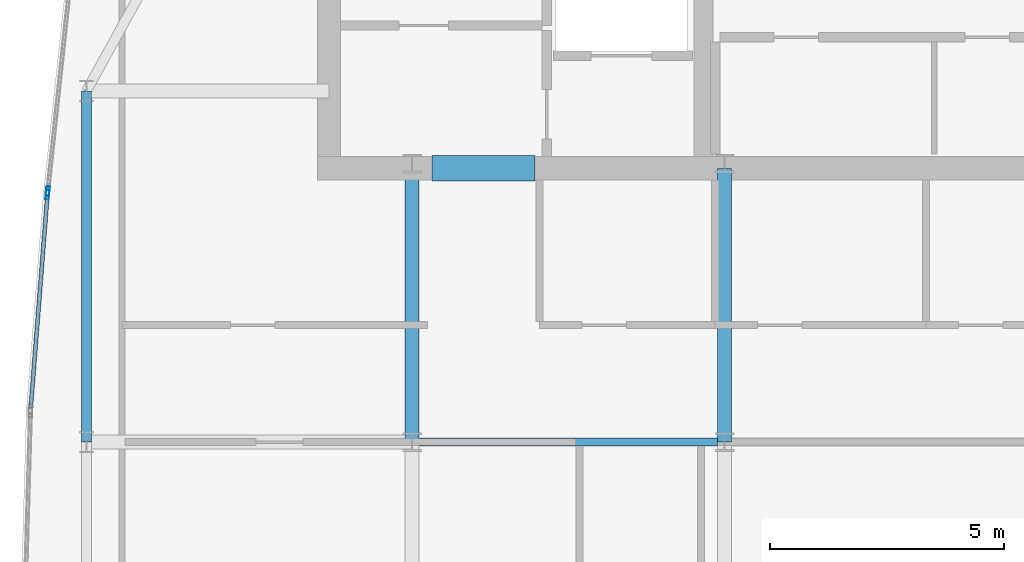
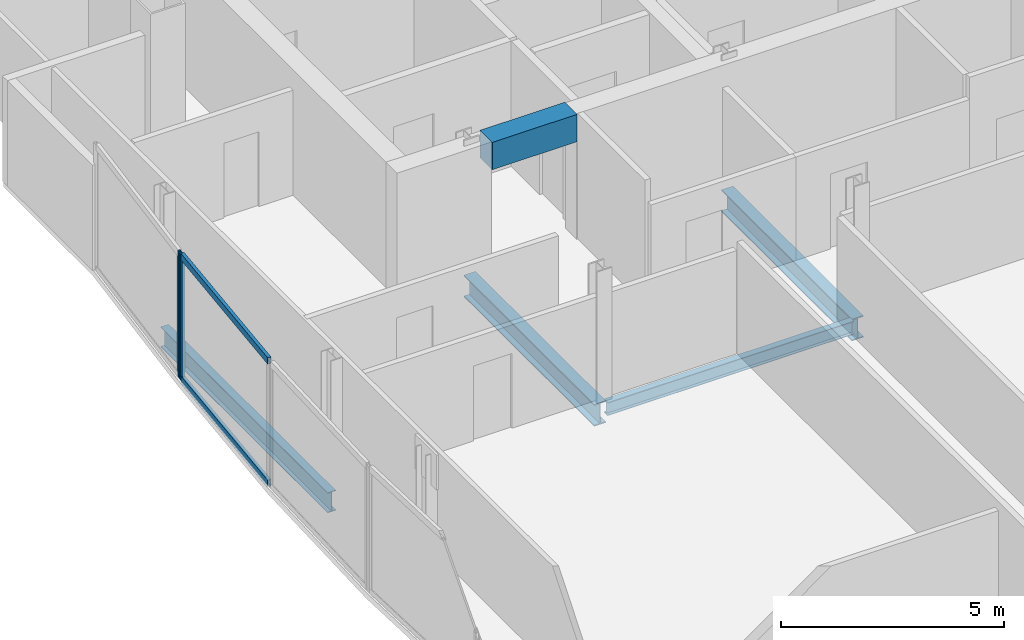
# One storey, part 11 of 27: 5 beams, 4 members, 2 elements without a shape of their own.
"""IFC4 building model written with IfcOpenShell, lengths in metres."""

import ifcopenshell
import ifcopenshell.guid

model = None  # the IFC model being written
_history = None  # IfcOwnerHistory: only IFC2X3 demands one
_inside = {}  # id of a spatial element -> (the spatial element, [elements in it])
_under = {}  # id of a project, library or spatial element -> (it, [spatial elements below it])
_declared = {}  # id of a project -> (the project, [libraries it declares])
_typed = {}  # id of a type object -> (the type object, [elements of that type])
_made_of = {}  # id of a material, layer set ... -> (it, [elements and type objects made of it])


def new_model(schema):
    """Start an empty IFC model of exactly this schema.

    Asked for "IFC4X3", IfcOpenShell would pick the latest addendum, in which some entities
    have other attributes; the version numbers below select the first issue.
    IFC2X3 requires an IfcOwnerHistory on every rooted entity: one is made here for all.
    """
    global model, _history
    if schema == "IFC4X3":
        model = ifcopenshell.file(schema_version=(4, 3, 0, 0))
    else:
        model = ifcopenshell.file(schema=schema)
    _inside.clear()
    _under.clear()
    _declared.clear()
    _typed.clear()
    _made_of.clear()
    _history = None
    if model.schema == "IFC2X3":
        org = make("IfcOrganization", Name="unknown")
        user = make(
            "IfcPersonAndOrganization",
            ThePerson=make("IfcPerson", FamilyName="unknown"),
            TheOrganization=org,
        )
        app = make(
            "IfcApplication",
            ApplicationDeveloper=org,
            Version="unknown",
            ApplicationFullName="unknown",
            ApplicationIdentifier="unknown",
        )
        _history = make(
            "IfcOwnerHistory",
            OwningUser=user,
            OwningApplication=app,
            ChangeAction="ADDED",
            CreationDate=0,
        )
    return model


def make(cls, **values):
    """One entity of the class cls with the attributes given. An attribute that is None is left unset."""
    return model.create_entity(
        cls, **{name: value for name, value in values.items() if value is not None}
    )


def rooted(cls, **values):
    """An entity with a GlobalId (a new one), such as an element, a storey or a relation."""
    return make(cls, GlobalId=ifcopenshell.guid.new(), OwnerHistory=_history, **values)


def si_unit(unit_type, name, prefix=None):
    """IfcSIUnit, for example si_unit("LENGTHUNIT", "METRE", prefix="MILLI")."""
    return make("IfcSIUnit", UnitType=unit_type, Prefix=prefix, Name=name)


def assignment(units):
    """IfcUnitAssignment: the units of a project."""
    return None if units is None else make("IfcUnitAssignment", Units=units)


def point(xyz):
    """IfcCartesianPoint."""
    return None if xyz is None else make("IfcCartesianPoint", Coordinates=xyz)


def direction(xyz):
    """IfcDirection."""
    return None if xyz is None else make("IfcDirection", DirectionRatios=xyz)


def frame(location, z_axis=None, x_axis=None):
    """IfcAxis2Placement3D, a coordinate frame: its origin and axes. An axis left out is left unset."""
    return make(
        "IfcAxis2Placement3D",
        Location=point(location),
        Axis=direction(z_axis),
        RefDirection=direction(x_axis),
    )


def frame_2d(location, x_axis=None):
    """IfcAxis2Placement2D, a coordinate frame in the plane: its origin and x axis."""
    return make(
        "IfcAxis2Placement2D", Location=point(location), RefDirection=direction(x_axis)
    )


def origin():
    """The frame at (0, 0, 0) with its axes left unset."""
    return frame((0.0, 0.0, 0.0))


def origin_2d():
    """The frame at (0, 0) in the plane with its x axis left unset."""
    return frame_2d((0.0, 0.0))


def place(relative_to, where):
    """IfcLocalPlacement: puts the frame where relative to a parent placement (None: the world)."""
    return make(
        "IfcLocalPlacement", PlacementRelTo=relative_to, RelativePlacement=where
    )


def context(
    kind, dimensions, precision=None, world=None, true_north=None, identifier=None
):
    """IfcGeometricRepresentationContext, for example the 3D "Model" context."""
    return make(
        "IfcGeometricRepresentationContext",
        ContextIdentifier=identifier,
        ContextType=kind,
        CoordinateSpaceDimension=dimensions,
        Precision=precision,
        WorldCoordinateSystem=world,
        TrueNorth=true_north,
    )


def subcontext(parent, identifier, kind, view, scale=None):
    """IfcGeometricRepresentationSubContext, for example "Body" below "Model"."""
    return make(
        "IfcGeometricRepresentationSubContext",
        ContextIdentifier=identifier,
        ContextType=kind,
        ParentContext=parent,
        TargetScale=scale,
        TargetView=view,
    )


def project(units=None, contexts=None):
    """IfcProject with its units and contexts."""
    return rooted(
        "IfcProject",
        Name="project",
        RepresentationContexts=contexts,
        UnitsInContext=assignment(units),
    )


def spatial(cls, under=None, at=None, **own):
    """A site, building, storey or space (cls), placed at a placement, below another one or the project."""
    s = rooted(cls, ObjectPlacement=at, **own)
    if under is not None:
        _under.setdefault(under.id(), (under, []))[1].append(s)
    return s


def profile(cls, at=None, kind="AREA", **sizes):
    """A parametric profile (cls). Its sizes go by their IFC names, for example OverallWidth=200.0."""
    return make(cls, ProfileType=kind, Position=at, **sizes)


def rectangle(**sizes):
    """IfcRectangleProfileDef."""
    return profile("IfcRectangleProfileDef", **sizes)


def hollow_rectangle(**sizes):
    """IfcRectangleHollowProfileDef."""
    return profile("IfcRectangleHollowProfileDef", **sizes)


def i_section(**sizes):
    """IfcIShapeProfileDef."""
    return profile("IfcIShapeProfileDef", **sizes)


def extrude(swept, where, along, depth):
    """IfcExtrudedAreaSolid: the profile swept, set in the frame where, extruded along a direction by depth."""
    return make(
        "IfcExtrudedAreaSolid",
        SweptArea=swept,
        Position=where,
        ExtrudedDirection=direction(along),
        Depth=depth,
    )


def shape(context_of_items, identifier, shape_type, items):
    """IfcShapeRepresentation: the items that make up one representation, for example the "Body"."""
    return make(
        "IfcShapeRepresentation",
        ContextOfItems=context_of_items,
        RepresentationIdentifier=identifier,
        RepresentationType=shape_type,
        Items=items,
    )


def material(Name=None, Category=None):
    """IfcMaterial."""
    return make("IfcMaterial", Name=Name, Category=Category)


def material_profile(
    of_material, cross_section, Name=None, Category=None, Priority=None
):
    """IfcMaterialProfile: a cross section and its material."""
    return make(
        "IfcMaterialProfile",
        Name=Name,
        Material=of_material,
        Profile=cross_section,
        Priority=Priority,
        Category=Category,
    )


def profile_set(profiles, Name=None, composite=None):
    """IfcMaterialProfileSet."""
    return make(
        "IfcMaterialProfileSet",
        Name=Name,
        MaterialProfiles=profiles,
        CompositeProfile=composite,
    )


def made_of(thing, what):
    """Note that an element or type object is made of a material, layer set ...; save() writes the relation."""
    if what is not None:
        _made_of.setdefault(what.id(), (what, []))[1].append(thing)
    return thing


def type_object(cls, material=None, **own):
    """A type object (cls), such as IfcWallType, which elements share."""
    return made_of(rooted(cls, **own), material)


def element(
    cls,
    number,
    at=None,
    inside=None,
    cuts=None,
    type_object=None,
    material=None,
    context=None,
    identifier="Body",
    shape_type=None,
    held_by="IfcProductDefinitionShape",
    body=None,
    shapes=None,
    **own,
):
    """One element of the class cls, such as IfcWall. Its Tag is "e" and its number.

    at: its placement. inside: the storey or other place that contains it. cuts: it is an
    opening in that element (IfcRelVoidsElement). A single representation is given by context,
    identifier, shape_type and body (its items); several are given by shapes. held_by: the class
    of the entity that holds the representations. save() writes the other relations.
    """
    e = rooted(cls, Tag="e%d" % number, ObjectPlacement=at, **own)
    if body is not None:
        shapes = [shape(context, identifier, shape_type, body)]
    if shapes is not None:
        e.Representation = make(held_by, Representations=shapes)
    if inside is not None:
        _inside.setdefault(inside.id(), (inside, []))[1].append(e)
    if cuts is not None:
        rooted(
            "IfcRelVoidsElement", RelatingBuildingElement=cuts, RelatedOpeningElement=e
        )
    if type_object is not None:
        _typed.setdefault(type_object.id(), (type_object, []))[1].append(e)
    return made_of(e, material)


def aggregate(whole, parts):
    """IfcRelAggregates: a whole, such as a stair, and the parts it consists of."""
    return rooted("IfcRelAggregates", RelatingObject=whole, RelatedObjects=parts)


def save(model, path):
    """Write the relations noted so far, then the file.

    IfcRelAggregates (storeys below a building ...), IfcRelContainedInSpatialStructure (elements
    in a storey), IfcRelDefinesByType, IfcRelAssociatesMaterial and IfcRelDeclares: one each for
    every whole, place, type object, material and project.
    """
    for whole, parts in _under.values():
        aggregate(whole, parts)
    for where, things in _inside.values():
        rooted(
            "IfcRelContainedInSpatialStructure",
            RelatedElements=things,
            RelatingStructure=where,
        )
    for kind, things in _typed.values():
        rooted("IfcRelDefinesByType", RelatedObjects=things, RelatingType=kind)
    for what, things in _made_of.values():
        rooted("IfcRelAssociatesMaterial", RelatedObjects=things, RelatingMaterial=what)
    for by, libraries in _declared.values():
        rooted("IfcRelDeclares", RelatingContext=by, RelatedDefinitions=libraries)
    model.write(path)


model = new_model("IFC4")

# Units and contexts
model_context = context("Model", 3, precision=1e-05, world=origin(), true_north=direction((0.0, 1.0)))
body_context = subcontext(model_context, "Body", "Model", "MODEL_VIEW")
ifc_project = project(units=[si_unit("LENGTHUNIT", "METRE"), si_unit("AREAUNIT", "SQUARE_METRE"), si_unit("VOLUMEUNIT", "CUBIC_METRE"), si_unit("PLANEANGLEUNIT", "RADIAN"), si_unit("MASSUNIT", "GRAM", prefix="KILO")], contexts=[model_context])

# Site, building, storey
site_placement = place(None, origin())
site = spatial("IfcSite", under=ifc_project, at=site_placement, CompositionType="ELEMENT")
building_placement = place(site_placement, origin())
building = spatial("IfcBuilding", under=site, at=building_placement, Name="Khoronbel Lancet Exchange", CompositionType="ELEMENT")
storey_placement = place(building_placement, frame((0.0, 0.0, 343.39990234375)))
storey = spatial("IfcBuildingStorey", under=building, at=storey_placement, Name="L89", CompositionType="ELEMENT", Elevation=343.39990234375)

# Beams
ifc_material_1 = material(Name="Steel S355", Category="steel")
ifc_material_profile_1 = material_profile(ifc_material_1, i_section(OverallWidth=0.300048828125, OverallDepth=0.60009765625, WebThickness=0.015380859375, FlangeThickness=0.030029296875, at=origin_2d()), Name="HEB 600")
ifc_profile_set_1 = profile_set([ifc_material_profile_1], Name="Steel S355")
beam_type_1 = type_object("IfcBeamType", Name="BM-BG5", PredefinedType="BEAM", material=ifc_profile_set_1)
for number, where, z_axis, x_axis, name in (
    (1, (18.22509765625, 35.699951171875, -0.4599609375), (0.0, 1.0, 0.0), (-1.0, 0.0, 0.0), "Level L89 spine tie girder GN1"),
    (2, (24.89990234375, 35.699951171875, -0.4599609375), (0.0, 1.0, 0.0), (-1.0, 0.0, 0.0), "Level L89 spine tie girder GN2"),
):
    element("IfcBeam", number, at=place(storey_placement, frame(where, z_axis=z_axis, x_axis=x_axis)), inside=storey, type_object=beam_type_1, Name=name, PredefinedType="BEAM", context=body_context, shape_type="SweptSolid", body=[
        extrude(i_section(OverallWidth=0.300048828125, OverallDepth=0.60009765625, WebThickness=0.015380859375, FlangeThickness=0.030029296875, at=origin_2d()), origin(), (0.0, 0.0, 1.0), 5.85009765625),
    ])
ifc_material_profile_2 = material_profile(ifc_material_1, i_section(OverallWidth=0.169921875, OverallDepth=0.360107421875, WebThickness=0.008056640625, FlangeThickness=0.0126953125, at=origin_2d()), Name="IPE 360")
ifc_profile_set_2 = profile_set([ifc_material_profile_2], Name="Steel S355")
beam_type_2 = type_object("IfcBeamType", Name="BM-BJ6", PredefinedType="JOIST", material=ifc_profile_set_2)
beam_1_placement = place(storey_placement, frame((18.375, 35.699951171875, -0.33984375), z_axis=(1.0, 0.0, 0.0), x_axis=(0.0, 1.0, 0.0)))
element("IfcBeam", 3, at=beam_1_placement, inside=storey, type_object=beam_type_2, Name="Level L89 secondary composite joist J10", PredefinedType="JOIST", context=body_context, shape_type="SweptSolid", body=[
    extrude(i_section(OverallWidth=0.169921875, OverallDepth=0.360107421875, WebThickness=0.008056640625, FlangeThickness=0.0126953125, at=origin_2d()), origin(), (0.0, 0.0, 1.0), 6.375),
])
ifc_material_2 = material(Name="Concrete C60/75", Category="concrete")
ifc_material_profile_3 = material_profile(ifc_material_2, rectangle(XDim=0.550048828125, YDim=0.75, at=origin_2d()), Name="RC 550x750")
ifc_profile_set_3 = profile_set([ifc_material_profile_3], Name="Concrete C60/75")
beam_type_3 = type_object("IfcBeamType", Name="BM-BL2", PredefinedType="LINTEL", material=ifc_profile_set_3)
beam_2_placement = place(storey_placement, frame((18.64990234375, 41.550048828125, 3.065185546875), z_axis=(1.0, 0.0, 0.0), x_axis=(0.0, 1.0, 0.0)))
element("IfcBeam", 4, at=beam_2_placement, inside=storey, type_object=beam_type_3, Name="Level L89 rear core coupling lintel L1", PredefinedType="LINTEL", context=body_context, shape_type="SweptSolid", body=[
    extrude(rectangle(XDim=0.550048828125, YDim=0.75, at=origin_2d()), origin(), (0.0, 0.0, 1.0), 2.2001953125),
])
ifc_material_profile_4 = material_profile(ifc_material_1, i_section(OverallWidth=0.2099609375, OverallDepth=0.550048828125, WebThickness=0.010986328125, FlangeThickness=0.01708984375, at=origin_2d()), Name="IPE 550")
ifc_profile_set_4 = profile_set([ifc_material_profile_4], Name="Steel S355")
beam_type_4 = type_object("IfcBeamType", Name="BM-BSP3", PredefinedType="SPANDREL", material=ifc_profile_set_4)
beam_3_placement = place(storey_placement, frame((11.27001953125, 43.199951171875, -0.434814453125), z_axis=(0.0, -1.0, 0.0), x_axis=(1.0, 0.0, 0.0)))
element("IfcBeam", 5, at=beam_3_placement, inside=storey, type_object=beam_type_4, Name="Level L89 perimeter spandrel beam SP15", PredefinedType="SPANDREL", context=body_context, shape_type="SweptSolid", body=[
    extrude(i_section(OverallWidth=0.2099609375, OverallDepth=0.550048828125, WebThickness=0.010986328125, FlangeThickness=0.01708984375, at=origin_2d()), origin(), (0.0, 0.0, 1.0), 7.5),
])

# Curtain wall, member
ifc_material_3 = material(Name="Low-E Solar Control Insulating Glass", Category="glass")
curtain_wall_type = type_object("IfcCurtainWallType", Name="CW-4", PredefinedType="NOTDEFINED", material=ifc_material_3)
curtain_wall_1_placement = place(storey_placement, origin())
curtain_wall_1 = element("IfcCurtainWall", 6, at=curtain_wall_1_placement, inside=storey, type_object=curtain_wall_type, Name="Unitised curtain wall CW-L89-E08", PredefinedType="NOTDEFINED")
ifc_material_4 = material(Name="Bronze-Anodised Aluminium 6063-T6", Category="aluminium")
ifc_material_profile_5 = material_profile(ifc_material_4, hollow_rectangle(XDim=0.074951171875, YDim=0.199951171875, WallThickness=0.0048828125, at=origin_2d()), Name="ALU MULLION 75x200")
ifc_profile_set_5 = profile_set([ifc_material_profile_5], Name="Bronze-Anodised Aluminium 6063-T6")
member_type_1 = type_object("IfcMemberType", Name="MEM-CWM2", PredefinedType="MULLION", material=ifc_profile_set_5)
member_1_placement = place(storey_placement, frame((10.436767578125, 40.987548828125, 0.0), z_axis=(0.0, 0.0, 1.0), x_axis=(-0.996938933306, 0.078184162452, 0.0)))
member_1 = element("IfcMember", 7, at=member_1_placement, type_object=member_type_1, Name="CW4 mullion 2", PredefinedType="MULLION", context=body_context, shape_type="SweptSolid", body=[
    extrude(hollow_rectangle(XDim=0.074951171875, YDim=0.199951171875, WallThickness=0.0048828125, at=origin_2d()), origin(), (0.0, 0.0, 1.0), 3.440185546875),
])

curtain_wall_2_placement = place(storey_placement, origin())
curtain_wall_2 = element("IfcCurtainWall", 8, at=curtain_wall_2_placement, inside=storey, type_object=curtain_wall_type, Name="Unitised curtain wall CW-L89-E09", PredefinedType="NOTDEFINED")
member_2_placement = place(storey_placement, frame((10.443603515625, 41.062255859375, 0.0), z_axis=(0.0, 0.0, 1.0), x_axis=(-0.994308670645, 0.106537634098, 0.0)))
member_2 = element("IfcMember", 9, at=member_2_placement, type_object=member_type_1, Name="CW4 mullion 1", PredefinedType="MULLION", context=body_context, shape_type="SweptSolid", body=[
    extrude(hollow_rectangle(XDim=0.074951171875, YDim=0.199951171875, WallThickness=0.0048828125, at=origin_2d()), origin(), (0.0, 0.0, 1.0), 3.440185546875),
])
aggregate(curtain_wall_2, [member_2])

# Member
ifc_material_profile_6 = material_profile(ifc_material_4, hollow_rectangle(XDim=0.0849609375, YDim=0.179931640625, WallThickness=0.0048828125, at=origin_2d()), Name="ALU TRANSOM 85x180")
ifc_profile_set_6 = profile_set([ifc_material_profile_6], Name="Bronze-Anodised Aluminium 6063-T6")
member_type_2 = type_object("IfcMemberType", Name="MEM-CWT1", PredefinedType="USERDEFINED", material=ifc_profile_set_6)
member_3_placement = place(storey_placement, frame((10.079833984375, 36.436767578125, 0.04248046875), z_axis=(0.078193347152, 0.996938212961, 0.0), x_axis=(-0.996938212961, 0.078193347152, 0.0)))
member_3 = element("IfcMember", 10, at=member_3_placement, type_object=member_type_2, Name="CW4 transom 1.1", ObjectType="TRANSOM", PredefinedType="USERDEFINED", context=body_context, shape_type="SweptSolid", body=[
    extrude(hollow_rectangle(XDim=0.0849609375, YDim=0.179931640625, WallThickness=0.0048828125, at=origin_2d()), origin(), (0.0, 0.0, 1.0), 4.52734375),
])

member_4_placement = place(storey_placement, frame((10.079833984375, 36.436767578125, 3.397705078125), z_axis=(0.078193347152, 0.996938212961, 0.0), x_axis=(-0.996938212961, 0.078193347152, 0.0)))
member_4 = element("IfcMember", 11, at=member_4_placement, type_object=member_type_2, Name="CW4 transom 1.2", ObjectType="TRANSOM", PredefinedType="USERDEFINED", context=body_context, shape_type="SweptSolid", body=[
    extrude(hollow_rectangle(XDim=0.0849609375, YDim=0.179931640625, WallThickness=0.0048828125, at=origin_2d()), origin(), (0.0, 0.0, 1.0), 4.52734375),
])

aggregate(curtain_wall_1, [member_1, member_3, member_4])

save(model, "model.ifc")
